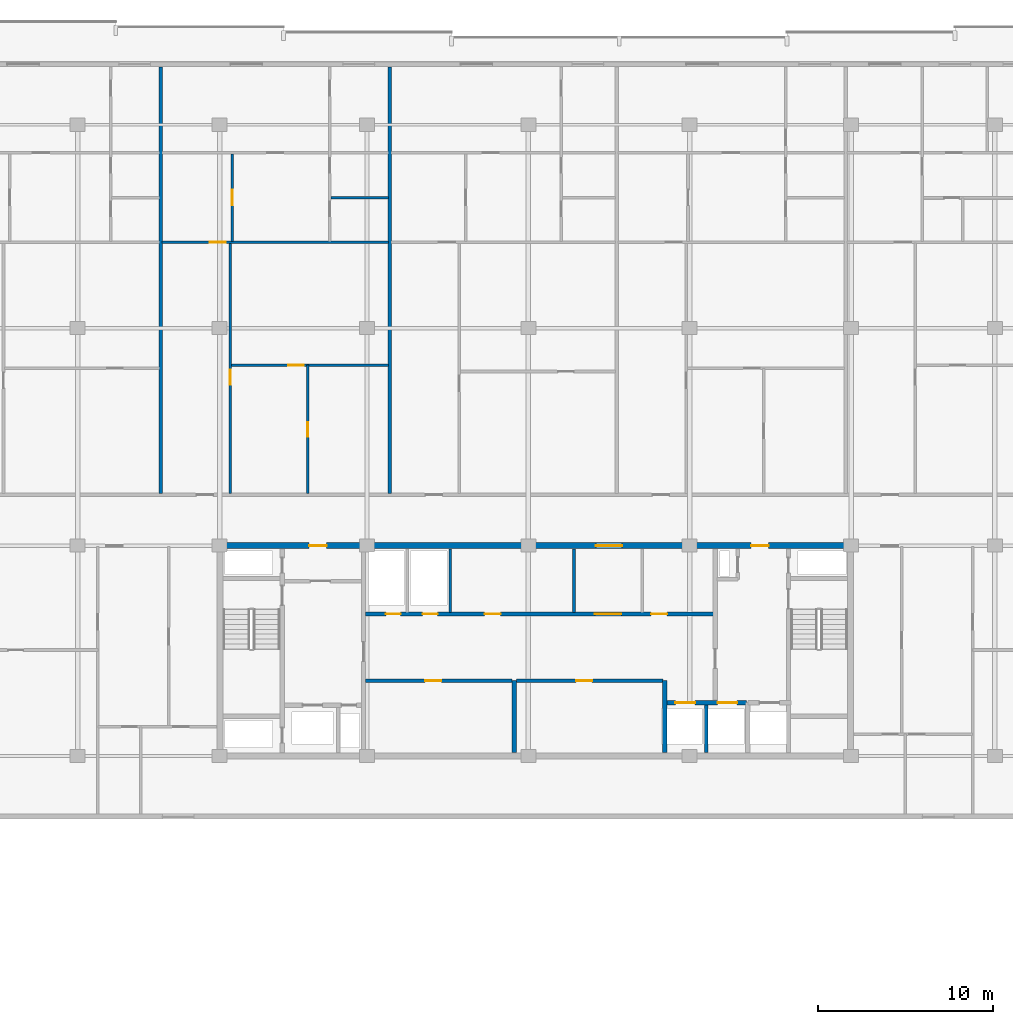
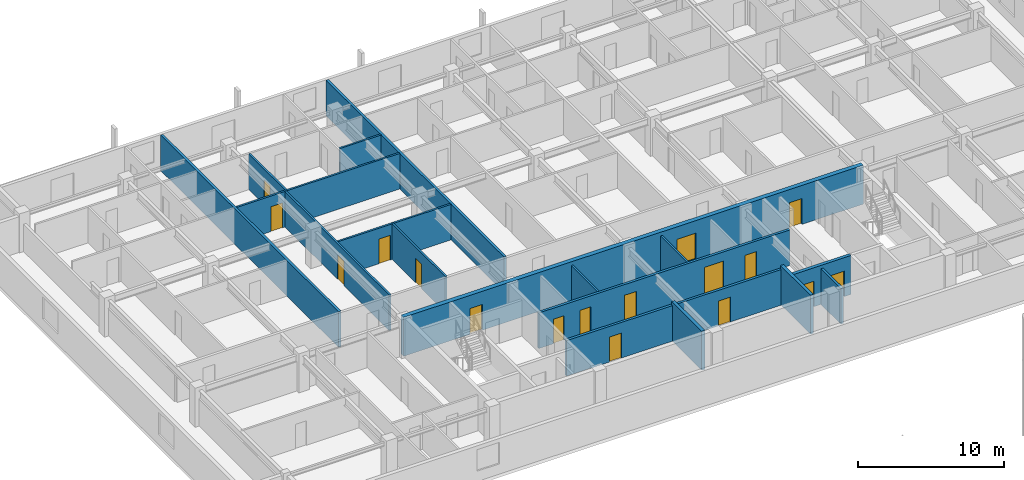
# One storey, part 35 of 42: 18 walls, 17 doors, 17 openings.
"""IFC4 building model written with IfcOpenShell, lengths in metres."""

from ifc_helpers import new_model, si_unit, direction, frame, frame_2d, origin, place, context, subcontext, project, spatial, rectangle, extrude, material, layer, layer_set, type_object, element, fill, save


model = new_model("IFC4")

# Units and contexts
model_context = context("Model", 3, precision=1e-05, world=origin(), true_north=direction((0.0, 1.0)))
body_context = subcontext(model_context, "Body", "Model", "MODEL_VIEW")
ifc_project = project(units=[si_unit("LENGTHUNIT", "METRE"), si_unit("AREAUNIT", "SQUARE_METRE"), si_unit("VOLUMEUNIT", "CUBIC_METRE"), si_unit("PLANEANGLEUNIT", "RADIAN"), si_unit("MASSUNIT", "GRAM", prefix="KILO")], contexts=[model_context])

# Site, building, storey
site_placement = place(None, origin())
site = spatial("IfcSite", under=ifc_project, at=site_placement, CompositionType="ELEMENT")
building_placement = place(site_placement, origin())
building = spatial("IfcBuilding", under=site, at=building_placement, Name="Korimba Cascade Residences", CompositionType="ELEMENT")
storey_placement = place(building_placement, frame((0.0, 0.0, 207.60009765625)))
storey = spatial("IfcBuildingStorey", under=building, at=storey_placement, Name="L60", CompositionType="ELEMENT", Elevation=207.60009765625)

# Wall, openings, doors
ifc_material_1 = material(Name="Concrete C65/80", Category="concrete")
ifc_layer_1 = layer(ifc_material_1, 0.35009765625)
ifc_layer_set_1 = layer_set([ifc_layer_1], Name="Concrete C65/80")
wall_type_1 = type_object("IfcWallType", Name="WAL-CORE-350", PredefinedType="SHEAR", material=ifc_layer_set_1)
wall_1_placement = place(storey_placement, frame((75.949951171875, 67.199951171875, 0.0), z_axis=(0.0, 0.0, 1.0), x_axis=(1.0, 0.0, 0.0)))
wall_1 = element("IfcWall", 1, at=wall_1_placement, inside=storey, type_object=wall_type_1, Name="L60 Core Shear Wall CW-L60-T1-N", PredefinedType="SHEAR", context=body_context, shape_type="SweptSolid", body=[
    extrude(rectangle(XDim=36.300048828125, YDim=0.35009765625, at=frame_2d((18.14990234375, 0.0))), origin(), (0.0, 0.0, 1.0), 3.25),
])
opening_1_placement = place(wall_1_placement, frame((5.25, 0.0, 0.0)))
opening_1 = element("IfcOpeningElement", 2, at=opening_1_placement, cuts=wall_1, Name="Opening D-FD5", PredefinedType="OPENING", context=body_context, shape_type="SweptSolid", body=[
    extrude(rectangle(XDim=1.0, YDim=2.14990234375, at=frame_2d((0.5, 1.074951171875))), frame((0.0, 0.18505859375, 0.0), z_axis=(0.0, -1.0, 0.0), x_axis=(1.0, 0.0, 0.0)), (0.0, 0.0, 1.0), 0.3701171875),
])
opening_2_placement = place(wall_1_placement, frame((21.60009765625, 0.0, 0.0)))
opening_2 = element("IfcOpeningElement", 3, at=opening_2_placement, cuts=wall_1, Name="Opening D-FD8", PredefinedType="OPENING", context=body_context, shape_type="SweptSolid", body=[
    extrude(rectangle(XDim=1.5, YDim=2.199951171875, at=frame_2d((0.75, 1.10009765625))), frame((0.0, 0.18505859375, 0.0), z_axis=(0.0, -1.0, 0.0), x_axis=(1.0, 0.0, 0.0)), (0.0, 0.0, 1.0), 0.3701171875),
])
opening_3_placement = place(wall_1_placement, frame((30.449951171875, 0.0, 0.0)))
opening_3 = element("IfcOpeningElement", 4, at=opening_3_placement, cuts=wall_1, Name="Opening D-FD5", PredefinedType="OPENING", context=body_context, shape_type="SweptSolid", body=[
    extrude(rectangle(XDim=1.0, YDim=2.14990234375, at=frame_2d((0.5, 1.074951171875))), frame((0.0, 0.18505859375, 0.0), z_axis=(0.0, -1.0, 0.0), x_axis=(1.0, 0.0, 0.0)), (0.0, 0.0, 1.0), 0.3701171875),
])
ifc_material_2 = material(Name="Fire-Rated Acoustic Timber Vestibule Door", Category="wood")
door_type_1 = type_object("IfcDoorType", Name="DR-FD90-1000", OperationType="NOTDEFINED", PredefinedType="DOOR", material=ifc_material_2)
door_1_placement = place(opening_1_placement, origin())
door_1 = element("IfcDoor", 5, at=door_1_placement, inside=storey, type_object=door_type_1, Name="L60 T1 West Core Vestibule Fire Door", OperationType="SINGLE_SWING_LEFT", OverallHeight=2.14990234375, OverallWidth=1.0, PredefinedType="DOOR", context=body_context, shape_type="SweptSolid", body=[
    extrude(rectangle(XDim=1.0, YDim=2.14990234375, at=frame_2d((0.5, 1.074951171875))), frame((0.0, 0.02490234375, 0.0), z_axis=(0.0, -1.0, 0.0), x_axis=(1.0, 0.0, 0.0)), (0.0, 0.0, 1.0), 0.050048828125),
])
fill(opening_1, door_1)
door_2_placement = place(opening_3_placement, origin())
door_2 = element("IfcDoor", 6, at=door_2_placement, inside=storey, type_object=door_type_1, Name="L60 T1 East Firefighting Vestibule Fire Door", OperationType="SINGLE_SWING_RIGHT", OverallHeight=2.14990234375, OverallWidth=1.0, PredefinedType="DOOR", context=body_context, shape_type="SweptSolid", body=[
    extrude(rectangle(XDim=1.0, YDim=2.14990234375, at=frame_2d((0.5, 1.074951171875))), frame((0.0, 0.02490234375, 0.0), z_axis=(0.0, -1.0, 0.0), x_axis=(1.0, 0.0, 0.0)), (0.0, 0.0, 1.0), 0.050048828125),
])
fill(opening_3, door_2)
ifc_material_3 = material(Name="Fire-Rated Glazed Lift Lobby Double Door", Category="glass")
door_type_2 = type_object("IfcDoorType", Name="DR-FD90-1500", OperationType="NOTDEFINED", PredefinedType="DOOR", material=ifc_material_3)
door_3_placement = place(opening_2_placement, origin())
door_3 = element("IfcDoor", 7, at=door_3_placement, inside=storey, type_object=door_type_2, Name="L60 T1 Lift Lobby Fire Door", OperationType="DOUBLE_DOOR_SINGLE_SWING", OverallHeight=2.199951171875, OverallWidth=1.5, PredefinedType="DOOR", context=body_context, shape_type="SweptSolid", body=[
    extrude(rectangle(XDim=1.5, YDim=2.199951171875, at=frame_2d((0.75, 1.10009765625))), frame((0.0, 0.02490234375, 0.0), z_axis=(0.0, -1.0, 0.0), x_axis=(1.0, 0.0, 0.0)), (0.0, 0.0, 1.0), 0.050048828125),
])
fill(opening_2, door_3)

# Walls
ifc_material_4 = material(Name="Precast concrete C40/50", Category="concrete")
ifc_layer_2 = layer(ifc_material_4, 0.199951171875)
ifc_layer_set_2 = layer_set([ifc_layer_2], Name="Precast concrete C40/50")
wall_type_2 = type_object("IfcWallType", Name="WAL-IT-200", PredefinedType="PARTITIONING", material=ifc_layer_set_2)
for number, where, z_axis, x_axis, name in (
    (8, (72.736083984375, 70.179931640625, 0.0), (0.0, 0.0, 1.0), (0.0, 1.0, 0.0), "L60 Partition Wall WAL-L60-T1-DEM-1"),
    (9, (85.800048828125, 70.179931640625, 0.0), (0.0, 0.0, 1.0), (0.0, 1.0, 0.0), "L60 Partition Wall WAL-L60-T1-DEM-2"),
):
    element("IfcWall", number, at=place(storey_placement, frame(where, z_axis=z_axis, x_axis=x_axis)), inside=storey, type_object=wall_type_2, Name=name, PredefinedType="PARTITIONING", context=body_context, shape_type="SweptSolid", body=[
        extrude(rectangle(XDim=24.320068359375, YDim=0.199951171875, at=frame_2d((12.16015625, 0.0))), origin(), (0.0, 0.0, 1.0), 2.969970703125),
    ])
ifc_material_5 = material(Name="Insulated Acoustic Stud Partition", Category="gypsum")
ifc_layer_3 = layer(ifc_material_5, 0.14990234375)
ifc_layer_set_3 = layer_set([ifc_layer_3], Name="Insulated Acoustic Stud Partition")
wall_type_3 = type_object("IfcWallType", Name="WAL-PART-150", PredefinedType="PARTITIONING", material=ifc_layer_set_3)
for number, where, z_axis, x_axis, name in (
    (10, (89.25, 63.39990234375, 0.0), (0.0, 0.0, 1.0), (0.0, 1.0, 0.0), "L60 Partition Wall CW-L60-T1-PRDIV"),
    (11, (96.300048828125, 63.39990234375, 0.0), (0.0, 0.0, 1.0), (0.0, 1.0, 0.0), "L60 Partition Wall CW-L60-T1-THW"),
):
    element("IfcWall", number, at=place(storey_placement, frame(where, z_axis=z_axis, x_axis=x_axis)), inside=storey, type_object=wall_type_3, Name=name, PredefinedType="PARTITIONING", context=body_context, shape_type="SweptSolid", body=[
        extrude(rectangle(XDim=3.60009765625, YDim=0.14990234375, at=frame_2d((1.800048828125, 0.0))), origin(), (0.0, 0.0, 1.0), 2.969970703125),
    ])

# Wall, opening, door
wall_2_placement = place(storey_placement, frame((81.123046875, 70.159912109375, 0.0), z_axis=(0.0, 0.0, 1.0), x_axis=(0.0, 1.0, 0.0)))
wall_2 = element("IfcWall", 12, at=wall_2_placement, inside=storey, type_object=wall_type_3, Name="L60 Partition Wall WAL-L60-T1-U02-FMV", PredefinedType="PARTITIONING", context=body_context, shape_type="SweptSolid", body=[
    extrude(rectangle(XDim=7.330078125, YDim=0.14990234375, at=frame_2d((3.6650390625, 0.0))), origin(), (0.0, 0.0, 1.0), 2.969970703125),
])
opening_4_placement = place(wall_2_placement, frame((3.2451171875, 0.0, 0.0)))
opening_4 = element("IfcOpeningElement", 13, at=opening_4_placement, cuts=wall_2, Name="Opening D-BT1", PredefinedType="OPENING", context=body_context, shape_type="SweptSolid", body=[
    extrude(rectangle(XDim=0.840087890625, YDim=2.0400390625, at=frame_2d((0.419921875, 1.02001953125))), frame((0.0, 0.0849609375, 0.0), z_axis=(0.0, -1.0, 0.0), x_axis=(1.0, 0.0, 0.0)), (0.0, 0.0, 1.0), 0.169921875),
])
ifc_material_6 = material(Name="Moisture-Resistant Bathroom Timber Door", Category="wood")
door_type_3 = type_object("IfcDoorType", Name="DR-INT-850", OperationType="NOTDEFINED", PredefinedType="DOOR", material=ifc_material_6)
door_4_placement = place(opening_4_placement, origin())
door_4 = element("IfcDoor", 14, at=door_4_placement, inside=storey, type_object=door_type_3, Name="L60-T1-U02 Wardrobe Door", OperationType="SINGLE_SWING_LEFT", OverallHeight=2.0400390625, OverallWidth=0.840087890625, PredefinedType="DOOR", context=body_context, shape_type="SweptSolid", body=[
    extrude(rectangle(XDim=0.840087890625, YDim=2.0400390625, at=frame_2d((0.419921875, 1.02001953125))), frame((0.0, 0.02490234375, 0.0), z_axis=(0.0, -1.0, 0.0), x_axis=(1.0, 0.0, 0.0)), (0.0, 0.0, 1.0), 0.050048828125),
])
fill(opening_4, door_4)

wall_3_placement = place(storey_placement, frame((76.76611328125, 77.489990234375, 0.0), z_axis=(0.0, 0.0, 1.0), x_axis=(1.0, 0.0, 0.0)))
wall_3 = element("IfcWall", 15, at=wall_3_placement, inside=storey, type_object=wall_type_3, Name="L60 Partition Wall WAL-L60-T1-U02-FMH", PredefinedType="PARTITIONING", context=body_context, shape_type="SweptSolid", body=[
    extrude(rectangle(XDim=8.953857421875, YDim=0.14990234375, at=frame_2d((4.47705078125, 0.0))), origin(), (0.0, 0.0, 1.0), 2.969970703125),
])
opening_5_placement = place(wall_3_placement, frame((3.257080078125, 0.0, 0.0)))
opening_5 = element("IfcOpeningElement", 16, at=opening_5_placement, cuts=wall_3, Name="Opening D-IN2", PredefinedType="OPENING", context=body_context, shape_type="SweptSolid", body=[
    extrude(rectangle(XDim=0.8798828125, YDim=2.06005859375, at=frame_2d((0.43994140625, 1.030029296875))), frame((0.0, 0.0849609375, 0.0), z_axis=(0.0, -1.0, 0.0), x_axis=(1.0, 0.0, 0.0)), (0.0, 0.0, 1.0), 0.169921875),
])
ifc_material_7 = material(Name="Acoustic Timber Bedroom Door", Category="wood")
door_type_4 = type_object("IfcDoorType", Name="DR-INT-880", OperationType="NOTDEFINED", PredefinedType="DOOR", material=ifc_material_7)
door_5_placement = place(opening_5_placement, origin())
door_5 = element("IfcDoor", 17, at=door_5_placement, inside=storey, type_object=door_type_4, Name="L60-T1-U02 Library Salon Door", OperationType="SINGLE_SWING_RIGHT", OverallHeight=2.06005859375, OverallWidth=0.8798828125, PredefinedType="DOOR", context=body_context, shape_type="SweptSolid", body=[
    extrude(rectangle(XDim=0.8798828125, YDim=2.06005859375, at=frame_2d((0.43994140625, 1.030029296875))), frame((0.0, 0.02490234375, 0.0), z_axis=(0.0, -1.0, 0.0), x_axis=(1.0, 0.0, 0.0)), (0.0, 0.0, 1.0), 0.050048828125),
])
fill(opening_5, door_5)

wall_4_placement = place(storey_placement, frame((76.7060546875, 70.159912109375, 0.0), z_axis=(0.0, 0.0, 1.0), x_axis=(0.0, 1.0, 0.0)))
wall_4 = element("IfcWall", 18, at=wall_4_placement, inside=storey, type_object=wall_type_3, Name="L60 Partition Wall WAL-L60-T1-U02-FV", PredefinedType="PARTITIONING", context=body_context, shape_type="SweptSolid", body=[
    extrude(rectangle(XDim=14.300048828125, YDim=0.14990234375, at=frame_2d((7.14990234375, 0.0))), origin(), (0.0, 0.0, 1.0), 2.969970703125),
])
opening_6_placement = place(wall_4_placement, frame((6.199951171875, 0.0, 0.0)))
opening_6 = element("IfcOpeningElement", 19, at=opening_6_placement, cuts=wall_4, Name="Opening D-IN2", PredefinedType="OPENING", context=body_context, shape_type="SweptSolid", body=[
    extrude(rectangle(XDim=0.8798828125, YDim=2.06005859375, at=frame_2d((0.43994140625, 1.030029296875))), frame((0.0, 0.0849609375, 0.0), z_axis=(0.0, -1.0, 0.0), x_axis=(1.0, 0.0, 0.0)), (0.0, 0.0, 1.0), 0.169921875),
])
door_6_placement = place(opening_6_placement, origin())
door_6 = element("IfcDoor", 20, at=door_6_placement, inside=storey, type_object=door_type_4, Name="L60-T1-U02 Media Lounge Door", OperationType="SINGLE_SWING_LEFT", OverallHeight=2.06005859375, OverallWidth=0.8798828125, PredefinedType="DOOR", context=body_context, shape_type="SweptSolid", body=[
    extrude(rectangle(XDim=0.8798828125, YDim=2.06005859375, at=frame_2d((0.43994140625, 1.030029296875))), frame((0.0, 0.02490234375, 0.0), z_axis=(0.0, -1.0, 0.0), x_axis=(1.0, 0.0, 0.0)), (0.0, 0.0, 1.0), 0.050048828125),
])
fill(opening_6, door_6)

wall_5_placement = place(storey_placement, frame((76.80615234375, 84.5400390625, 0.0), z_axis=(0.0, 0.0, 1.0), x_axis=(0.0, 1.0, 0.0)))
wall_5 = element("IfcWall", 21, at=wall_5_placement, inside=storey, type_object=wall_type_3, Name="L60 Partition Wall WAL-L60-T1-U02-VDIN", PredefinedType="PARTITIONING", context=body_context, shape_type="SweptSolid", body=[
    extrude(rectangle(XDim=5.0, YDim=0.14990234375, at=frame_2d((2.5, 0.0))), origin(), (0.0, 0.0, 1.0), 2.969970703125),
])
opening_7_placement = place(wall_5_placement, frame((2.06005859375, 0.0, 0.0)))
opening_7 = element("IfcOpeningElement", 22, at=opening_7_placement, cuts=wall_5, Name="Opening D-IN2", PredefinedType="OPENING", context=body_context, shape_type="SweptSolid", body=[
    extrude(rectangle(XDim=0.8798828125, YDim=2.06005859375, at=frame_2d((0.43994140625, 1.030029296875))), frame((0.0, 0.0849609375, 0.0), z_axis=(0.0, -1.0, 0.0), x_axis=(1.0, 0.0, 0.0)), (0.0, 0.0, 1.0), 0.169921875),
])
door_7_placement = place(opening_7_placement, origin())
door_7 = element("IfcDoor", 23, at=door_7_placement, inside=storey, type_object=door_type_4, Name="L60-T1-U02 Dining Room Door", OperationType="SINGLE_SWING_RIGHT", OverallHeight=2.06005859375, OverallWidth=0.8798828125, PredefinedType="DOOR", context=body_context, shape_type="SweptSolid", body=[
    extrude(rectangle(XDim=0.8798828125, YDim=2.06005859375, at=frame_2d((0.43994140625, 1.030029296875))), frame((0.0, 0.02490234375, 0.0), z_axis=(0.0, -1.0, 0.0), x_axis=(1.0, 0.0, 0.0)), (0.0, 0.0, 1.0), 0.050048828125),
])
fill(opening_7, door_7)

# Wall
wall_6_placement = place(storey_placement, frame((82.43994140625, 87.0400390625, 0.0), z_axis=(0.0, 0.0, 1.0), x_axis=(1.0, 0.0, 0.0)))
element("IfcWall", 24, at=wall_6_placement, inside=storey, type_object=wall_type_3, Name="L60 Partition Wall WAL-L60-T1-U02-BLDIV", PredefinedType="PARTITIONING", context=body_context, shape_type="SweptSolid", body=[
    extrude(rectangle(XDim=3.280029296875, YDim=0.14990234375, at=frame_2d((1.64013671875, 0.0))), origin(), (0.0, 0.0, 1.0), 2.969970703125),
])

# Wall, opening, door
wall_7_placement = place(storey_placement, frame((72.816162109375, 84.5, 0.0), z_axis=(0.0, 0.0, 1.0), x_axis=(1.0, 0.0, 0.0)))
wall_7 = element("IfcWall", 25, at=wall_7_placement, inside=storey, type_object=wall_type_3, Name="L60 Partition Wall WAL-L60-T1-U02-MW", PredefinedType="PARTITIONING", context=body_context, shape_type="SweptSolid", body=[
    extrude(rectangle(XDim=12.90380859375, YDim=0.14990234375, at=frame_2d((6.451904296875, 0.0))), origin(), (0.0, 0.0, 1.0), 2.969970703125),
])
opening_8_placement = place(wall_7_placement, frame((2.719970703125, 0.0, 0.0)))
opening_8 = element("IfcOpeningElement", 26, at=opening_8_placement, cuts=wall_7, Name="Opening D-IN1", PredefinedType="OPENING", context=body_context, shape_type="SweptSolid", body=[
    extrude(rectangle(XDim=0.919921875, YDim=2.080078125, at=frame_2d((0.4599609375, 1.0400390625))), frame((0.0, 0.0849609375, 0.0), z_axis=(0.0, -1.0, 0.0), x_axis=(1.0, 0.0, 0.0)), (0.0, 0.0, 1.0), 0.169921875),
])
ifc_material_8 = material(Name="Acoustic Timber Living Door", Category="wood")
door_type_5 = type_object("IfcDoorType", Name="DR-INT-920", OperationType="NOTDEFINED", PredefinedType="DOOR", material=ifc_material_8)
door_8_placement = place(opening_8_placement, origin())
door_8 = element("IfcDoor", 27, at=door_8_placement, inside=storey, type_object=door_type_5, Name="L60-T1-U02 Kitchen Archway Door", OperationType="SINGLE_SWING_RIGHT", OverallHeight=2.080078125, OverallWidth=0.919921875, PredefinedType="DOOR", context=body_context, shape_type="SweptSolid", body=[
    extrude(rectangle(XDim=0.919921875, YDim=2.080078125, at=frame_2d((0.4599609375, 1.0400390625))), frame((0.0, 0.02490234375, 0.0), z_axis=(0.0, -1.0, 0.0), x_axis=(1.0, 0.0, 0.0)), (0.0, 0.0, 1.0), 0.050048828125),
])
fill(opening_8, door_8)

ifc_material_9 = material(Name="Concrete C40/50", Category="concrete")
ifc_layer_4 = layer(ifc_material_9, 0.199951171875)
ifc_layer_set_4 = layer_set([ifc_layer_4], Name="Concrete C40/50")
wall_type_4 = type_object("IfcWallType", Name="WAL-PART-200", PredefinedType="PARTITIONING", material=ifc_layer_set_4)
wall_8_placement = place(storey_placement, frame((84.419921875, 59.5, 0.0), z_axis=(0.0, 0.0, 1.0), x_axis=(1.0, 0.0, 0.0)))
wall_8 = element("IfcWall", 28, at=wall_8_placement, inside=storey, type_object=wall_type_4, Name="L60 Partition Wall CW-L60-T1-B1RN", PredefinedType="PARTITIONING", context=body_context, shape_type="SweptSolid", body=[
    extrude(rectangle(XDim=8.360107421875, YDim=0.199951171875, at=frame_2d((4.18017578125, 0.0))), origin(), (0.0, 0.0, 1.0), 2.969970703125),
])
opening_9_placement = place(wall_8_placement, frame((3.39990234375, 0.0, 0.0)))
opening_9 = element("IfcOpeningElement", 29, at=opening_9_placement, cuts=wall_8, Name="Opening D-ST1", PredefinedType="OPENING", context=body_context, shape_type="SweptSolid", body=[
    extrude(rectangle(XDim=0.919921875, YDim=2.080078125, at=frame_2d((0.4599609375, 1.0400390625))), frame((0.0, 0.10986328125, 0.0), z_axis=(0.0, -1.0, 0.0), x_axis=(1.0, 0.0, 0.0)), (0.0, 0.0, 1.0), 0.219970703125),
])
ifc_material_10 = material(Name="Fire-Rated Core Store Door", Category="wood")
door_type_6 = type_object("IfcDoorType", Name="DR-FD60-920", OperationType="NOTDEFINED", PredefinedType="DOOR", material=ifc_material_10)
door_9_placement = place(opening_9_placement, origin())
door_9 = element("IfcDoor", 30, at=door_9_placement, inside=storey, type_object=door_type_6, Name="L60 Resident Storage Door", OperationType="SINGLE_SWING_LEFT", OverallHeight=2.080078125, OverallWidth=0.919921875, PredefinedType="DOOR", context=body_context, shape_type="SweptSolid", body=[
    extrude(rectangle(XDim=0.919921875, YDim=2.080078125, at=frame_2d((0.4599609375, 1.0400390625))), frame((0.0, 0.02490234375, 0.0), z_axis=(0.0, -1.0, 0.0), x_axis=(1.0, 0.0, 0.0)), (0.0, 0.0, 1.0), 0.050048828125),
])
fill(opening_9, door_9)

wall_9_placement = place(storey_placement, frame((93.02001953125, 59.5, 0.0), z_axis=(0.0, 0.0, 1.0), x_axis=(1.0, 0.0, 0.0)))
wall_9 = element("IfcWall", 31, at=wall_9_placement, inside=storey, type_object=wall_type_4, Name="L60 Partition Wall CW-L60-T1-B2RN", PredefinedType="PARTITIONING", context=body_context, shape_type="SweptSolid", body=[
    extrude(rectangle(XDim=8.35986328125, YDim=0.199951171875, at=frame_2d((4.179931640625, 0.0))), origin(), (0.0, 0.0, 1.0), 2.969970703125),
])
opening_10_placement = place(wall_9_placement, frame((3.39990234375, 0.0, 0.0)))
opening_10 = element("IfcOpeningElement", 32, at=opening_10_placement, cuts=wall_9, Name="Opening D-ST1", PredefinedType="OPENING", context=body_context, shape_type="SweptSolid", body=[
    extrude(rectangle(XDim=0.919921875, YDim=2.080078125, at=frame_2d((0.4599609375, 1.0400390625))), frame((0.0, 0.10986328125, 0.0), z_axis=(0.0, -1.0, 0.0), x_axis=(1.0, 0.0, 0.0)), (0.0, 0.0, 1.0), 0.219970703125),
])
door_10_placement = place(opening_10_placement, origin())
door_10 = element("IfcDoor", 33, at=door_10_placement, inside=storey, type_object=door_type_6, Name="L60 Wine Cellar Store Door", OperationType="SINGLE_SWING_RIGHT", OverallHeight=2.080078125, OverallWidth=0.919921875, PredefinedType="DOOR", context=body_context, shape_type="SweptSolid", body=[
    extrude(rectangle(XDim=0.919921875, YDim=2.080078125, at=frame_2d((0.4599609375, 1.0400390625))), frame((0.0, 0.02490234375, 0.0), z_axis=(0.0, -1.0, 0.0), x_axis=(1.0, 0.0, 0.0)), (0.0, 0.0, 1.0), 0.050048828125),
])
fill(opening_10, door_10)

# Wall
wall_10_placement = place(storey_placement, frame((103.85009765625, 55.39990234375, 0.0), z_axis=(0.0, 0.0, 1.0), x_axis=(0.0, 1.0, 0.0)))
element("IfcWall", 34, at=wall_10_placement, inside=storey, type_object=wall_type_4, Name="L60 Partition Wall CW-L60-T1-B3D1", PredefinedType="PARTITIONING", context=body_context, shape_type="SweptSolid", body=[
    extrude(rectangle(XDim=2.72021484375, YDim=0.199951171875, at=frame_2d((1.360107421875, 0.0))), origin(), (0.0, 0.0, 1.0), 2.969970703125),
])

# Wall, openings, doors
wall_11_placement = place(storey_placement, frame((84.419921875, 63.300048828125, 0.0), z_axis=(0.0, 0.0, 1.0), x_axis=(1.0, 0.0, 0.0)))
wall_11 = element("IfcWall", 35, at=wall_11_placement, inside=storey, type_object=wall_type_4, Name="L60 Partition Wall CW-L60-T1-SRVROW", PredefinedType="PARTITIONING", context=body_context, shape_type="SweptSolid", body=[
    extrude(rectangle(XDim=19.830078125, YDim=0.199951171875, at=frame_2d((9.9150390625, 0.0))), origin(), (0.0, 0.0, 1.0), 2.969970703125),
])
opening_11_placement = place(wall_11_placement, frame((1.14990234375, 0.0, 0.0)))
opening_11 = element("IfcOpeningElement", 36, at=opening_11_placement, cuts=wall_11, Name="Opening D-RS1", PredefinedType="OPENING", context=body_context, shape_type="SweptSolid", body=[
    extrude(rectangle(XDim=0.85009765625, YDim=2.050048828125, at=frame_2d((0.425048828125, 1.02490234375))), frame((0.0, 0.10986328125, 0.0), z_axis=(0.0, -1.0, 0.0), x_axis=(1.0, 0.0, 0.0)), (0.0, 0.0, 1.0), 0.219970703125),
])
opening_12_placement = place(wall_11_placement, frame((3.25, 0.0, 0.0)))
opening_12 = element("IfcOpeningElement", 37, at=opening_12_placement, cuts=wall_11, Name="Opening D-RS1", PredefinedType="OPENING", context=body_context, shape_type="SweptSolid", body=[
    extrude(rectangle(XDim=0.85009765625, YDim=2.050048828125, at=frame_2d((0.425048828125, 1.02490234375))), frame((0.0, 0.10986328125, 0.0), z_axis=(0.0, -1.0, 0.0), x_axis=(1.0, 0.0, 0.0)), (0.0, 0.0, 1.0), 0.219970703125),
])
opening_13_placement = place(wall_11_placement, frame((13.080078125, 0.0, 0.0)))
opening_13 = element("IfcOpeningElement", 38, at=opening_13_placement, cuts=wall_11, Name="Opening D-FD8", PredefinedType="OPENING", context=body_context, shape_type="SweptSolid", body=[
    extrude(rectangle(XDim=1.5, YDim=2.199951171875, at=frame_2d((0.75, 1.10009765625))), frame((0.0, 0.10986328125, 0.0), z_axis=(0.0, -1.0, 0.0), x_axis=(1.0, 0.0, 0.0)), (0.0, 0.0, 1.0), 0.219970703125),
])
opening_14_placement = place(wall_11_placement, frame((6.780029296875, 0.0, 0.0)))
opening_14 = element("IfcOpeningElement", 39, at=opening_14_placement, cuts=wall_11, Name="Opening D-IN1", PredefinedType="OPENING", context=body_context, shape_type="SweptSolid", body=[
    extrude(rectangle(XDim=0.919921875, YDim=2.080078125, at=frame_2d((0.4599609375, 1.0400390625))), frame((0.0, 0.10986328125, 0.0), z_axis=(0.0, -1.0, 0.0), x_axis=(1.0, 0.0, 0.0)), (0.0, 0.0, 1.0), 0.219970703125),
])
opening_15_placement = place(wall_11_placement, frame((16.280029296875, 0.0, 0.0)))
opening_15 = element("IfcOpeningElement", 40, at=opening_15_placement, cuts=wall_11, Name="Opening D-IN1", PredefinedType="OPENING", context=body_context, shape_type="SweptSolid", body=[
    extrude(rectangle(XDim=0.919921875, YDim=2.080078125, at=frame_2d((0.4599609375, 1.0400390625))), frame((0.0, 0.10986328125, 0.0), z_axis=(0.0, -1.0, 0.0), x_axis=(1.0, 0.0, 0.0)), (0.0, 0.0, 1.0), 0.219970703125),
])
ifc_material_11 = material(Name="Fire-Rated Steel Riser Access Door", Category="steel")
door_type_7 = type_object("IfcDoorType", Name="DR-FD60-850", OperationType="NOTDEFINED", PredefinedType="DOOR", material=ifc_material_11)
door_11_placement = place(opening_11_placement, origin())
door_11 = element("IfcDoor", 41, at=door_11_placement, inside=storey, type_object=door_type_7, Name="L60 Electrical Riser Door", OperationType="SINGLE_SWING_LEFT", OverallHeight=2.050048828125, OverallWidth=0.85009765625, PredefinedType="DOOR", context=body_context, shape_type="SweptSolid", body=[
    extrude(rectangle(XDim=0.85009765625, YDim=2.050048828125, at=frame_2d((0.425048828125, 1.02490234375))), frame((0.0, 0.02490234375, 0.0), z_axis=(0.0, -1.0, 0.0), x_axis=(1.0, 0.0, 0.0)), (0.0, 0.0, 1.0), 0.050048828125),
])
fill(opening_11, door_11)
door_12_placement = place(opening_12_placement, origin())
door_12 = element("IfcDoor", 42, at=door_12_placement, inside=storey, type_object=door_type_7, Name="L60 Plumbing Riser Door", OperationType="SINGLE_SWING_RIGHT", OverallHeight=2.050048828125, OverallWidth=0.85009765625, PredefinedType="DOOR", context=body_context, shape_type="SweptSolid", body=[
    extrude(rectangle(XDim=0.85009765625, YDim=2.050048828125, at=frame_2d((0.425048828125, 1.02490234375))), frame((0.0, 0.02490234375, 0.0), z_axis=(0.0, -1.0, 0.0), x_axis=(1.0, 0.0, 0.0)), (0.0, 0.0, 1.0), 0.050048828125),
])
fill(opening_12, door_12)
door_13_placement = place(opening_13_placement, origin())
door_13 = element("IfcDoor", 43, at=door_13_placement, inside=storey, type_object=door_type_2, Name="L60 Lift Lobby Foyer Archway Door", OperationType="DOUBLE_DOOR_SINGLE_SWING", OverallHeight=2.199951171875, OverallWidth=1.5, PredefinedType="DOOR", context=body_context, shape_type="SweptSolid", body=[
    extrude(rectangle(XDim=1.5, YDim=2.199951171875, at=frame_2d((0.75, 1.10009765625))), frame((0.0, 0.02490234375, 0.0), z_axis=(0.0, -1.0, 0.0), x_axis=(1.0, 0.0, 0.0)), (0.0, 0.0, 1.0), 0.050048828125),
])
fill(opening_13, door_13)
door_14_placement = place(opening_14_placement, origin())
door_14 = element("IfcDoor", 44, at=door_14_placement, inside=storey, type_object=door_type_5, Name="L60 Housekeeping Door", OperationType="SINGLE_SWING_LEFT", OverallHeight=2.080078125, OverallWidth=0.919921875, PredefinedType="DOOR", context=body_context, shape_type="SweptSolid", body=[
    extrude(rectangle(XDim=0.919921875, YDim=2.080078125, at=frame_2d((0.4599609375, 1.0400390625))), frame((0.0, 0.02490234375, 0.0), z_axis=(0.0, -1.0, 0.0), x_axis=(1.0, 0.0, 0.0)), (0.0, 0.0, 1.0), 0.050048828125),
])
fill(opening_14, door_14)
door_15_placement = place(opening_15_placement, origin())
door_15 = element("IfcDoor", 45, at=door_15_placement, inside=storey, type_object=door_type_5, Name="L60 Store Door", OperationType="SINGLE_SWING_RIGHT", OverallHeight=2.080078125, OverallWidth=0.919921875, PredefinedType="DOOR", context=body_context, shape_type="SweptSolid", body=[
    extrude(rectangle(XDim=0.919921875, YDim=2.080078125, at=frame_2d((0.4599609375, 1.0400390625))), frame((0.0, 0.02490234375, 0.0), z_axis=(0.0, -1.0, 0.0), x_axis=(1.0, 0.0, 0.0)), (0.0, 0.0, 1.0), 0.050048828125),
])
fill(opening_15, door_15)

# Walls
ifc_material_12 = material(Name="Concrete C50/60", Category="concrete")
ifc_layer_5 = layer(ifc_material_12, 0.25)
ifc_layer_set_5 = layer_set([ifc_layer_5], Name="Concrete C50/60")
wall_type_5 = type_object("IfcWallType", Name="WAL-SHAFT-250", PredefinedType="SHEAR", material=ifc_layer_set_5)
for number, where, z_axis, x_axis, name in (
    (46, (92.89990234375, 55.39990234375, 0.0), (0.0, 0.0, 1.0), (0.0, 1.0, 0.0), "L60 Core Shear Wall CW-L60-T1-B12DIV"),
    (47, (101.47998046875, 55.39990234375, 0.0), (0.0, 0.0, 1.0), (0.0, 1.0, 0.0), "L60 Core Shear Wall CW-L60-T1-B23DIV"),
):
    element("IfcWall", number, at=place(storey_placement, frame(where, z_axis=z_axis, x_axis=x_axis)), inside=storey, type_object=wall_type_5, Name=name, PredefinedType="SHEAR", context=body_context, shape_type="SweptSolid", body=[
        extrude(rectangle(XDim=4.10009765625, YDim=0.25, at=frame_2d((2.050048828125, 0.0))), origin(), (0.0, 0.0, 1.0), 3.25),
    ])

# Wall, openings, doors
wall_12_placement = place(storey_placement, frame((101.550048828125, 58.25, 0.0), z_axis=(0.0, 0.0, 1.0), x_axis=(1.0, 0.0, 0.0)))
wall_12 = element("IfcWall", 48, at=wall_12_placement, inside=storey, type_object=wall_type_5, Name="L60 Core Shear Wall CW-L60-T1-B3N", PredefinedType="SHEAR", context=body_context, shape_type="SweptSolid", body=[
    extrude(rectangle(XDim=4.599853515625, YDim=0.25, at=frame_2d((2.2998046875, 0.0))), origin(), (0.0, 0.0, 1.0), 3.25),
])
opening_16_placement = place(wall_12_placement, frame((0.5400390625, 0.0, 0.0)))
opening_16 = element("IfcOpeningElement", 49, at=opening_16_placement, cuts=wall_12, Name="Opening LD-01", PredefinedType="OPENING", context=body_context, shape_type="SweptSolid", body=[
    extrude(rectangle(XDim=1.1201171875, YDim=2.1201171875, at=frame_2d((0.56005859375, 1.06005859375))), frame((0.0, 0.135009765625, 0.0), z_axis=(0.0, -1.0, 0.0), x_axis=(1.0, 0.0, 0.0)), (0.0, 0.0, 1.0), 0.27001953125),
])
opening_17_placement = place(wall_12_placement, frame((2.93994140625, 0.0, 0.0)))
opening_17 = element("IfcOpeningElement", 50, at=opening_17_placement, cuts=wall_12, Name="Opening LD-01", PredefinedType="OPENING", context=body_context, shape_type="SweptSolid", body=[
    extrude(rectangle(XDim=1.1201171875, YDim=2.1201171875, at=frame_2d((0.56005859375, 1.06005859375))), frame((0.0, 0.135009765625, 0.0), z_axis=(0.0, -1.0, 0.0), x_axis=(1.0, 0.0, 0.0)), (0.0, 0.0, 1.0), 0.27001953125),
])
ifc_material_13 = material(Name="Stainless Steel Lift Landing Sliding Door", Category="steel")
door_type_8 = type_object("IfcDoorType", Name="DR-LIFT-1100", OperationType="NOTDEFINED", PredefinedType="DOOR", material=ifc_material_13)
door_16_placement = place(opening_16_placement, origin())
door_16 = element("IfcDoor", 51, at=door_16_placement, inside=storey, type_object=door_type_8, Name="L60 Lift Landing Door PL-W7", OperationType="SLIDING_TO_LEFT", OverallHeight=2.1201171875, OverallWidth=1.1201171875, PredefinedType="DOOR", context=body_context, shape_type="SweptSolid", body=[
    extrude(rectangle(XDim=1.1201171875, YDim=2.1201171875, at=frame_2d((0.56005859375, 1.06005859375))), frame((0.0, 0.02490234375, 0.0), z_axis=(0.0, -1.0, 0.0), x_axis=(1.0, 0.0, 0.0)), (0.0, 0.0, 1.0), 0.050048828125),
])
fill(opening_16, door_16)
door_17_placement = place(opening_17_placement, origin())
door_17 = element("IfcDoor", 52, at=door_17_placement, inside=storey, type_object=door_type_8, Name="L60 Lift Landing Door PL-W8", OperationType="SLIDING_TO_LEFT", OverallHeight=2.1201171875, OverallWidth=1.1201171875, PredefinedType="DOOR", context=body_context, shape_type="SweptSolid", body=[
    extrude(rectangle(XDim=1.1201171875, YDim=2.1201171875, at=frame_2d((0.56005859375, 1.06005859375))), frame((0.0, 0.02490234375, 0.0), z_axis=(0.0, -1.0, 0.0), x_axis=(1.0, 0.0, 0.0)), (0.0, 0.0, 1.0), 0.050048828125),
])
fill(opening_17, door_17)

save(model, "model.ifc")
